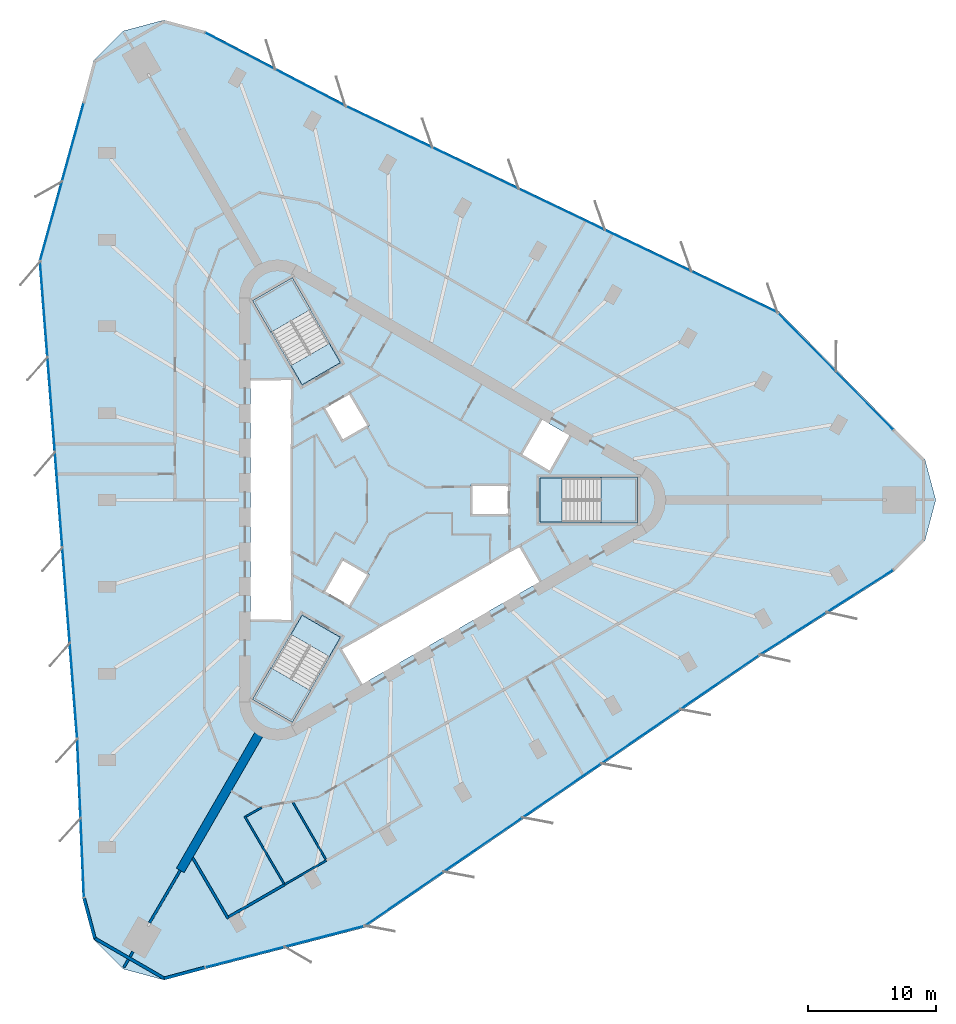
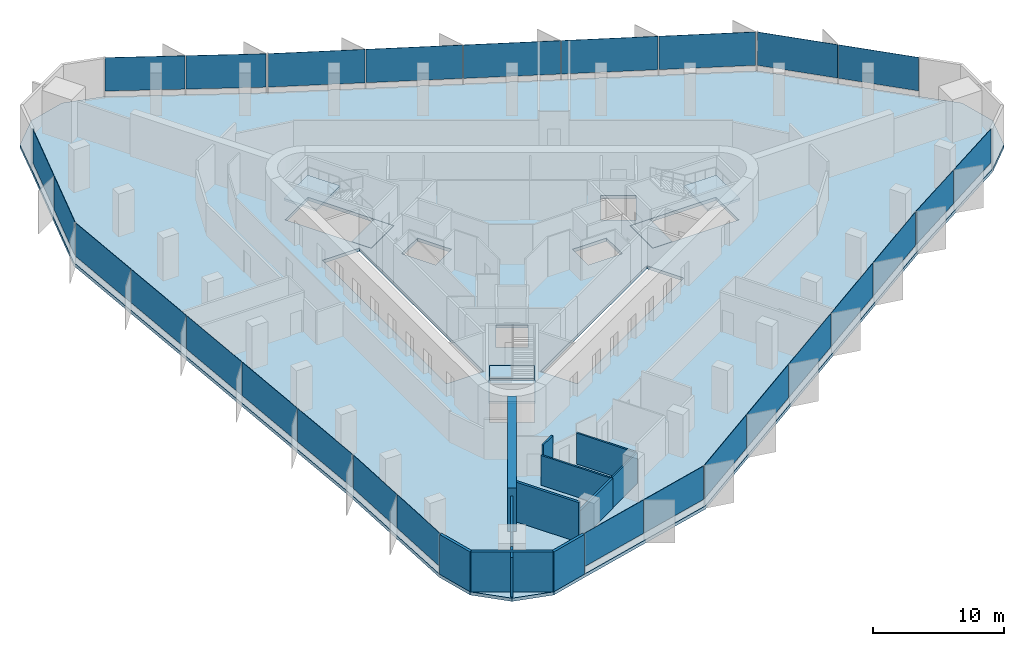
# One storey, part 7 of 13: 27 plates, 13 walls, 7 slabs, 12 elements without a shape of their own.
"""IFC4 building model written with IfcOpenShell, lengths in metres."""

from ifc_helpers import new_model, si_unit, direction, frame, frame_2d, origin, origin_2d, place, context, subcontext, project, spatial, polyline, rectangle, outline, extrude, material, layer, layer_set, type_object, element, aggregate, save


model = new_model("IFC4")

# Units and contexts
model_context = context("Model", 3, precision=1e-05, world=origin(), true_north=direction((0.0, 1.0)))
body_context = subcontext(model_context, "Body", "Model", "MODEL_VIEW")
ifc_project = project(units=[si_unit("LENGTHUNIT", "METRE"), si_unit("AREAUNIT", "SQUARE_METRE"), si_unit("VOLUMEUNIT", "CUBIC_METRE"), si_unit("PLANEANGLEUNIT", "RADIAN"), si_unit("MASSUNIT", "GRAM", prefix="KILO")], contexts=[model_context])

# Site, building, storey
site_placement = place(None, origin())
site = spatial("IfcSite", under=ifc_project, at=site_placement, CompositionType="ELEMENT")
building_placement = place(site_placement, origin())
building = spatial("IfcBuilding", under=site, at=building_placement, Name="Tanit Gate Tower", CompositionType="ELEMENT")
storey_placement = place(building_placement, frame((0.0, 0.0, 181.199951171875)))
storey = spatial("IfcBuildingStorey", under=building, at=storey_placement, Name="L39", CompositionType="ELEMENT", Elevation=181.199951171875)

# Slab
ifc_material_1 = material(Name="Concrete C35/45", Category="concrete")
ifc_layer_1 = layer(ifc_material_1, 0.300048828125)
ifc_layer_set_1 = layer_set([ifc_layer_1], Name="FLOOR SLAB 300 C35/45")
slab_type_1 = type_object("IfcSlabType", Name="FLOOR SLAB 300 C35/45", PredefinedType="FLOOR", material=ifc_layer_set_1)
slab_1_placement = place(storey_placement, frame((0.0, 0.0, -0.300048828125)))
element("IfcSlab", 1, at=slab_1_placement, inside=storey, type_object=slab_type_1, Name="FLOOR SLAB L39", PredefinedType="FLOOR", context=body_context, shape_type="SweptSolid", body=[
    extrude(outline(polyline([(39.06396484375, 5.522705078125), (41.39794921875, 3.1884765625), (42.25244140625, 0.0), (41.39794921875, -3.1884765625), (39.06396484375, -5.522705078125), (28.564453125, -12.192138671875), (-2.2705078125, -33.35009765625), (-14.749267578125, -36.591552734375), (-17.937744140625, -37.446044921875), (-21.126220703125, -36.591552734375), (-23.460205078125, -34.257568359375), (-24.314697265625, -31.069091796875), (-24.8408203125, -18.641357421875), (-27.74658203125, 18.641357421875), (-24.314697265625, 31.069091796875), (-23.460205078125, 34.257568359375), (-21.126220703125, 36.591552734375), (-17.937744140625, 37.446044921875), (-14.749267578125, 36.591552734375), (-3.723388671875, 30.83349609375), (30.01708984375, 14.70849609375), (39.06396484375, 5.522705078125)]), holes=[polyline([(11.3701171875, 1.72998046875), (18.929931640625, 1.72998046875), (18.929931640625, -1.72998046875), (11.3701171875, -1.72998046875), (11.3701171875, 1.72998046875)]), polyline([(9.82080078125, 3.510009765625), (11.44580078125, 6.324462890625), (13.783935546875, 4.974609375), (12.158935546875, 2.159912109375), (9.82080078125, 3.510009765625)]), polyline([(-4.208984375, -11.60986328125), (9.82080078125, -3.510009765625), (11.44580078125, -6.324462890625), (-2.583984375, -14.424560546875), (-4.208984375, -11.60986328125)]), polyline([(6.0, 1.199951171875), (9.0, 1.199951171875), (9.0, -1.199951171875), (6.0, -1.199951171875), (6.0, 1.199951171875)]), polyline([(-5.539306640625, 7.194091796875), (-3.460693359375, 8.394287109375), (-1.960693359375, 5.796142578125), (-4.039306640625, 4.59619140625), (-5.539306640625, 7.194091796875)]), polyline([(-1.960693359375, -5.796142578125), (-3.460693359375, -8.394287109375), (-5.539306640625, -7.194091796875), (-4.039306640625, -4.59619140625), (-1.960693359375, -5.796142578125)]), polyline([(-10.963134765625, 15.52880859375), (-7.966796875, 17.2587890625), (-4.186767578125, 10.711669921875), (-7.18310546875, 8.981689453125), (-10.963134765625, 15.52880859375)]), polyline([(-4.186767578125, -10.711669921875), (-7.966796875, -17.2587890625), (-10.963134765625, -15.52880859375), (-7.18310546875, -8.981689453125), (-4.186767578125, -10.711669921875)]), polyline([(-11.199951171875, -9.449951171875), (-11.199951171875, 9.449951171875), (-7.949951171875, 9.449951171875), (-7.949951171875, -9.449951171875), (-11.199951171875, -9.449951171875)])]), origin(), (0.0, 0.0, 1.0), 0.300048828125),
])

# Curtain wall, plates
ifc_material_2 = material(Name="Aluminium bronze anodised and glass", Category="aluminium")
curtain_wall_type = type_object("IfcCurtainWallType", Name="Curtain wall typical mid", PredefinedType="NOTDEFINED", material=ifc_material_2)
curtain_wall_1_placement = place(storey_placement, origin())
curtain_wall_1 = element("IfcCurtainWall", 2, at=curtain_wall_1_placement, inside=storey, type_object=curtain_wall_type, Name="Curtain wall L39 NE1", PredefinedType="NOTDEFINED")
ifc_material_3 = material(Name="Glass tinted", Category="glass")
ifc_layer_2 = layer(ifc_material_3, 0.030029296875)
ifc_layer_set_2 = layer_set([ifc_layer_2], Name="Glass panel 30 typical mid")
plate_type = type_object("IfcPlateType", Name="Glass panel 30 typical mid", PredefinedType="CURTAIN_PANEL", material=ifc_layer_set_2)
plate_1_placement = place(storey_placement, frame((36.70654296875, 7.7451171875, 0.60009765625), z_axis=(0.0, 0.0, 1.0), x_axis=(-0.701683751549, 0.712488535215, 0.0)))
plate_1 = element("IfcPlate", 3, at=plate_1_placement, type_object=plate_type, Name="Glass panel L39 NE1.1", PredefinedType="CURTAIN_PANEL", context=body_context, shape_type="SweptSolid", body=[
    extrude(rectangle(XDim=6.316162109375, YDim=0.030029296875, at=origin_2d()), origin(), (0.0, 0.0, 1.0), 3.10009765625),
])
plate_2_placement = place(storey_placement, frame((32.218505859375, 12.30224609375, 0.60009765625), z_axis=(0.0, 0.0, 1.0), x_axis=(-0.701683751549, 0.712488535215, 0.0)))
plate_2 = element("IfcPlate", 4, at=plate_2_placement, type_object=plate_type, Name="Glass panel L39 NE1.2", PredefinedType="CURTAIN_PANEL", context=body_context, shape_type="SweptSolid", body=[
    extrude(rectangle(XDim=6.316162109375, YDim=0.030029296875, at=origin_2d()), origin(), (0.0, 0.0, 1.0), 3.10009765625),
])
aggregate(curtain_wall_1, [plate_1, plate_2])

curtain_wall_2_placement = place(storey_placement, origin())
curtain_wall_2 = element("IfcCurtainWall", 5, at=curtain_wall_2_placement, inside=storey, type_object=curtain_wall_type, Name="Curtain wall L39 NE2", PredefinedType="NOTDEFINED")
plate_3_placement = place(storey_placement, frame((26.545166015625, 16.23486328125, 0.60009765625), z_axis=(0.0, 0.0, 1.0), x_axis=(-0.902257718288, 0.431197182029, 0.0)))
plate_3 = element("IfcPlate", 6, at=plate_3_placement, type_object=plate_type, Name="Glass panel L39 NE2.1", PredefinedType="CURTAIN_PANEL", context=body_context, shape_type="SweptSolid", body=[
    extrude(rectangle(XDim=7.37939453125, YDim=0.030029296875, at=origin_2d()), origin(), (0.0, 0.0, 1.0), 3.10009765625),
])
plate_4_placement = place(storey_placement, frame((19.81494140625, 19.451416015625, 0.60009765625), z_axis=(0.0, 0.0, 1.0), x_axis=(-0.902257718288, 0.431197182029, 0.0)))
plate_4 = element("IfcPlate", 7, at=plate_4_placement, type_object=plate_type, Name="Glass panel L39 NE2.2", PredefinedType="CURTAIN_PANEL", context=body_context, shape_type="SweptSolid", body=[
    extrude(rectangle(XDim=7.37939453125, YDim=0.030029296875, at=origin_2d()), origin(), (0.0, 0.0, 1.0), 3.10009765625),
])
plate_5_placement = place(storey_placement, frame((13.084716796875, 22.667724609375, 0.60009765625), z_axis=(0.0, 0.0, 1.0), x_axis=(-0.902257718288, 0.431197182029, 0.0)))
plate_5 = element("IfcPlate", 8, at=plate_5_placement, type_object=plate_type, Name="Glass panel L39 NE2.3", PredefinedType="CURTAIN_PANEL", context=body_context, shape_type="SweptSolid", body=[
    extrude(rectangle(XDim=7.37939453125, YDim=0.030029296875, at=origin_2d()), origin(), (0.0, 0.0, 1.0), 3.10009765625),
])
plate_6_placement = place(storey_placement, frame((6.354248046875, 25.88427734375, 0.60009765625), z_axis=(0.0, 0.0, 1.0), x_axis=(-0.902257718288, 0.431197182029, 0.0)))
plate_6 = element("IfcPlate", 9, at=plate_6_placement, type_object=plate_type, Name="Glass panel L39 NE2.4", PredefinedType="CURTAIN_PANEL", context=body_context, shape_type="SweptSolid", body=[
    extrude(rectangle(XDim=7.37939453125, YDim=0.030029296875, at=origin_2d()), origin(), (0.0, 0.0, 1.0), 3.10009765625),
])
plate_7_placement = place(storey_placement, frame((-0.3759765625, 29.100830078125, 0.60009765625), z_axis=(0.0, 0.0, 1.0), x_axis=(-0.902257718288, 0.431197182029, 0.0)))
plate_7 = element("IfcPlate", 10, at=plate_7_placement, type_object=plate_type, Name="Glass panel L39 NE2.5", PredefinedType="CURTAIN_PANEL", context=body_context, shape_type="SweptSolid", body=[
    extrude(rectangle(XDim=7.37939453125, YDim=0.030029296875, at=origin_2d()), origin(), (0.0, 0.0, 1.0), 3.10009765625),
])
aggregate(curtain_wall_2, [plate_3, plate_4, plate_5, plate_6, plate_7])

curtain_wall_3_placement = place(storey_placement, origin())
curtain_wall_3 = element("IfcCurtainWall", 11, at=curtain_wall_3_placement, inside=storey, type_object=curtain_wall_type, Name="Curtain wall L39 NE3", PredefinedType="NOTDEFINED")
plate_8_placement = place(storey_placement, frame((-6.548828125, 32.173828125, 0.60009765625), z_axis=(0.0, 0.0, 1.0), x_axis=(-0.886403364276, 0.462913680722, 0.0)))
plate_8 = element("IfcPlate", 12, at=plate_8_placement, type_object=plate_type, Name="Glass panel L39 NE3.1", PredefinedType="CURTAIN_PANEL", context=body_context, shape_type="SweptSolid", body=[
    extrude(rectangle(XDim=6.09375, YDim=0.030029296875, at=origin_2d()), origin(), (0.0, 0.0, 1.0), 3.10009765625),
])
plate_9_placement = place(storey_placement, frame((-12.021240234375, 35.03173828125, 0.60009765625), z_axis=(0.0, 0.0, 1.0), x_axis=(-0.886403364276, 0.462913680722, 0.0)))
plate_9 = element("IfcPlate", 13, at=plate_9_placement, type_object=plate_type, Name="Glass panel L39 NE3.2", PredefinedType="CURTAIN_PANEL", context=body_context, shape_type="SweptSolid", body=[
    extrude(rectangle(XDim=6.09375, YDim=0.030029296875, at=origin_2d()), origin(), (0.0, 0.0, 1.0), 3.10009765625),
])
aggregate(curtain_wall_3, [plate_8, plate_9])

curtain_wall_4_placement = place(storey_placement, origin())
curtain_wall_4 = element("IfcCurtainWall", 14, at=curtain_wall_4_placement, inside=storey, type_object=curtain_wall_type, Name="Curtain wall L39 W1", PredefinedType="NOTDEFINED")
plate_10_placement = place(storey_placement, frame((-25.060791015625, 27.916259765625, 0.60009765625), z_axis=(0.0, 0.0, 1.0), x_axis=(-0.266191295627, -0.963920221871, 0.0)))
plate_10 = element("IfcPlate", 15, at=plate_10_placement, type_object=plate_type, Name="Glass panel L39 W1.1", PredefinedType="CURTAIN_PANEL", context=body_context, shape_type="SweptSolid", body=[
    extrude(rectangle(XDim=6.316162109375, YDim=0.030029296875, at=origin_2d()), origin(), (0.0, 0.0, 1.0), 3.10009765625),
])
plate_11_placement = place(storey_placement, frame((-26.763427734375, 21.7509765625, 0.60009765625), z_axis=(0.0, 0.0, 1.0), x_axis=(-0.266191295627, -0.963920221871, 0.0)))
plate_11 = element("IfcPlate", 16, at=plate_11_placement, type_object=plate_type, Name="Glass panel L39 W1.2", PredefinedType="CURTAIN_PANEL", context=body_context, shape_type="SweptSolid", body=[
    extrude(rectangle(XDim=6.316162109375, YDim=0.030029296875, at=origin_2d()), origin(), (0.0, 0.0, 1.0), 3.10009765625),
])
aggregate(curtain_wall_4, [plate_10, plate_11])

curtain_wall_5_placement = place(storey_placement, origin())
curtain_wall_5 = element("IfcCurtainWall", 17, at=curtain_wall_5_placement, inside=storey, type_object=curtain_wall_type, Name="Curtain wall L39 W2", PredefinedType="NOTDEFINED")
plate_12_placement = place(storey_placement, frame((-27.33251953125, 14.871337890625, 0.60009765625), z_axis=(0.0, 0.0, 1.0), x_axis=(0.077701145467, -0.996976695812, 0.0)))
plate_12 = element("IfcPlate", 18, at=plate_12_placement, type_object=plate_type, Name="Glass panel L39 W2.1", PredefinedType="CURTAIN_PANEL", context=body_context, shape_type="SweptSolid", body=[
    extrude(rectangle(XDim=7.37939453125, YDim=0.030029296875, at=origin_2d()), origin(), (0.0, 0.0, 1.0), 3.10009765625),
])
plate_13_placement = place(storey_placement, frame((-26.7529296875, 7.4345703125, 0.60009765625), z_axis=(0.0, 0.0, 1.0), x_axis=(0.077701145467, -0.996976695812, 0.0)))
plate_13 = element("IfcPlate", 19, at=plate_13_placement, type_object=plate_type, Name="Glass panel L39 W2.2", PredefinedType="CURTAIN_PANEL", context=body_context, shape_type="SweptSolid", body=[
    extrude(rectangle(XDim=7.37939453125, YDim=0.030029296875, at=origin_2d()), origin(), (0.0, 0.0, 1.0), 3.10009765625),
])
plate_14_placement = place(storey_placement, frame((-26.17333984375, -0.002197265625, 0.60009765625), z_axis=(0.0, 0.0, 1.0), x_axis=(0.077701145467, -0.996976695812, 0.0)))
plate_14 = element("IfcPlate", 20, at=plate_14_placement, type_object=plate_type, Name="Glass panel L39 W2.3", PredefinedType="CURTAIN_PANEL", context=body_context, shape_type="SweptSolid", body=[
    extrude(rectangle(XDim=7.37939453125, YDim=0.030029296875, at=origin_2d()), origin(), (0.0, 0.0, 1.0), 3.10009765625),
])
plate_15_placement = place(storey_placement, frame((-25.59375, -7.439208984375, 0.60009765625), z_axis=(0.0, 0.0, 1.0), x_axis=(0.077701145467, -0.996976695812, 0.0)))
plate_15 = element("IfcPlate", 21, at=plate_15_placement, type_object=plate_type, Name="Glass panel L39 W2.4", PredefinedType="CURTAIN_PANEL", context=body_context, shape_type="SweptSolid", body=[
    extrude(rectangle(XDim=7.37939453125, YDim=0.030029296875, at=origin_2d()), origin(), (0.0, 0.0, 1.0), 3.10009765625),
])
plate_16_placement = place(storey_placement, frame((-25.01416015625, -14.8759765625, 0.60009765625), z_axis=(0.0, 0.0, 1.0), x_axis=(0.077701145467, -0.996976695812, 0.0)))
plate_16 = element("IfcPlate", 22, at=plate_16_placement, type_object=plate_type, Name="Glass panel L39 W2.5", PredefinedType="CURTAIN_PANEL", context=body_context, shape_type="SweptSolid", body=[
    extrude(rectangle(XDim=7.37939453125, YDim=0.030029296875, at=origin_2d()), origin(), (0.0, 0.0, 1.0), 3.10009765625),
])
aggregate(curtain_wall_5, [plate_12, plate_13, plate_14, plate_15, plate_16])

curtain_wall_6_placement = place(storey_placement, origin())
curtain_wall_6 = element("IfcCurtainWall", 23, at=curtain_wall_6_placement, inside=storey, type_object=curtain_wall_type, Name="Curtain wall L39 W3", PredefinedType="NOTDEFINED")
plate_17_placement = place(storey_placement, frame((-24.5888671875, -21.75830078125, 0.60009765625), z_axis=(0.0, 0.0, 1.0), x_axis=(0.042306674873, -0.999104671824, 0.0)))
plate_17 = element("IfcPlate", 24, at=plate_17_placement, type_object=plate_type, Name="Glass panel L39 W3.1", PredefinedType="CURTAIN_PANEL", context=body_context, shape_type="SweptSolid", body=[
    extrude(rectangle(XDim=6.09375, YDim=0.030029296875, at=origin_2d()), origin(), (0.0, 0.0, 1.0), 3.10009765625),
])
plate_18_placement = place(storey_placement, frame((-24.32763671875, -27.926513671875, 0.60009765625), z_axis=(0.0, 0.0, 1.0), x_axis=(0.042306674873, -0.999104671824, 0.0)))
plate_18 = element("IfcPlate", 25, at=plate_18_placement, type_object=plate_type, Name="Glass panel L39 W3.2", PredefinedType="CURTAIN_PANEL", context=body_context, shape_type="SweptSolid", body=[
    extrude(rectangle(XDim=6.09375, YDim=0.030029296875, at=origin_2d()), origin(), (0.0, 0.0, 1.0), 3.10009765625),
])
aggregate(curtain_wall_6, [plate_17, plate_18])

curtain_wall_7_placement = place(storey_placement, origin())
curtain_wall_7 = element("IfcCurtainWall", 26, at=curtain_wall_7_placement, inside=storey, type_object=curtain_wall_type, Name="Curtain wall L39 SE1", PredefinedType="NOTDEFINED")
plate_19_placement = place(storey_placement, frame((-11.645751953125, -35.661376953125, 0.60009765625), z_axis=(0.0, 0.0, 1.0), x_axis=(0.967875047175, 0.251431686657, 0.0)))
plate_19 = element("IfcPlate", 27, at=plate_19_placement, type_object=plate_type, Name="Glass panel L39 SE1.1", PredefinedType="CURTAIN_PANEL", context=body_context, shape_type="SweptSolid", body=[
    extrude(rectangle(XDim=6.316162109375, YDim=0.030029296875, at=origin_2d()), origin(), (0.0, 0.0, 1.0), 3.10009765625),
])
plate_20_placement = place(storey_placement, frame((-5.455078125, -34.05322265625, 0.60009765625), z_axis=(0.0, 0.0, 1.0), x_axis=(0.967875047175, 0.251431686657, 0.0)))
plate_20 = element("IfcPlate", 28, at=plate_20_placement, type_object=plate_type, Name="Glass panel L39 SE1.2", PredefinedType="CURTAIN_PANEL", context=body_context, shape_type="SweptSolid", body=[
    extrude(rectangle(XDim=6.316162109375, YDim=0.030029296875, at=origin_2d()), origin(), (0.0, 0.0, 1.0), 3.10009765625),
])
aggregate(curtain_wall_7, [plate_19, plate_20])

curtain_wall_8_placement = place(storey_placement, origin())
curtain_wall_8 = element("IfcCurtainWall", 29, at=curtain_wall_8_placement, inside=storey, type_object=curtain_wall_type, Name="Curtain wall L39 SE2", PredefinedType="NOTDEFINED")
plate_21_placement = place(storey_placement, frame((0.787109375, -31.106201171875, 0.60009765625), z_axis=(0.0, 0.0, 1.0), x_axis=(0.824556572821, 0.565779513784, 0.0)))
plate_21 = element("IfcPlate", 30, at=plate_21_placement, type_object=plate_type, Name="Glass panel L39 SE2.1", PredefinedType="CURTAIN_PANEL", context=body_context, shape_type="SweptSolid", body=[
    extrude(rectangle(XDim=7.37939453125, YDim=0.030029296875, at=origin_2d()), origin(), (0.0, 0.0, 1.0), 3.10009765625),
])
plate_22_placement = place(storey_placement, frame((6.93798828125, -26.885986328125, 0.60009765625), z_axis=(0.0, 0.0, 1.0), x_axis=(0.824556572821, 0.565779513784, 0.0)))
plate_22 = element("IfcPlate", 31, at=plate_22_placement, type_object=plate_type, Name="Glass panel L39 SE2.2", PredefinedType="CURTAIN_PANEL", context=body_context, shape_type="SweptSolid", body=[
    extrude(rectangle(XDim=7.37939453125, YDim=0.030029296875, at=origin_2d()), origin(), (0.0, 0.0, 1.0), 3.10009765625),
])
plate_23_placement = place(storey_placement, frame((13.088623046875, -22.66552734375, 0.60009765625), z_axis=(0.0, 0.0, 1.0), x_axis=(0.824556572821, 0.565779513784, 0.0)))
plate_23 = element("IfcPlate", 32, at=plate_23_placement, type_object=plate_type, Name="Glass panel L39 SE2.3", PredefinedType="CURTAIN_PANEL", context=body_context, shape_type="SweptSolid", body=[
    extrude(rectangle(XDim=7.37939453125, YDim=0.030029296875, at=origin_2d()), origin(), (0.0, 0.0, 1.0), 3.10009765625),
])
plate_24_placement = place(storey_placement, frame((19.2392578125, -18.4453125, 0.60009765625), z_axis=(0.0, 0.0, 1.0), x_axis=(0.824556572821, 0.565779513784, 0.0)))
plate_24 = element("IfcPlate", 33, at=plate_24_placement, type_object=plate_type, Name="Glass panel L39 SE2.4", PredefinedType="CURTAIN_PANEL", context=body_context, shape_type="SweptSolid", body=[
    extrude(rectangle(XDim=7.37939453125, YDim=0.030029296875, at=origin_2d()), origin(), (0.0, 0.0, 1.0), 3.10009765625),
])
plate_25_placement = place(storey_placement, frame((25.389892578125, -14.224853515625, 0.60009765625), z_axis=(0.0, 0.0, 1.0), x_axis=(0.824556572821, 0.565779513784, 0.0)))
plate_25 = element("IfcPlate", 34, at=plate_25_placement, type_object=plate_type, Name="Glass panel L39 SE2.5", PredefinedType="CURTAIN_PANEL", context=body_context, shape_type="SweptSolid", body=[
    extrude(rectangle(XDim=7.37939453125, YDim=0.030029296875, at=origin_2d()), origin(), (0.0, 0.0, 1.0), 3.10009765625),
])
aggregate(curtain_wall_8, [plate_21, plate_22, plate_23, plate_24, plate_25])

curtain_wall_9_placement = place(storey_placement, origin())
curtain_wall_9 = element("IfcCurtainWall", 35, at=curtain_wall_9_placement, inside=storey, type_object=curtain_wall_type, Name="Curtain wall L39 SE3", PredefinedType="NOTDEFINED")
plate_26_placement = place(storey_placement, frame((31.1376953125, -10.41552734375, 0.60009765625), z_axis=(0.0, 0.0, 1.0), x_axis=(0.844096689403, 0.536190991102, 0.0)))
plate_26 = element("IfcPlate", 36, at=plate_26_placement, type_object=plate_type, Name="Glass panel L39 SE3.1", PredefinedType="CURTAIN_PANEL", context=body_context, shape_type="SweptSolid", body=[
    extrude(rectangle(XDim=6.09375, YDim=0.030029296875, at=origin_2d()), origin(), (0.0, 0.0, 1.0), 3.10009765625),
])
plate_27_placement = place(storey_placement, frame((36.348876953125, -7.10498046875, 0.60009765625), z_axis=(0.0, 0.0, 1.0), x_axis=(0.844096689403, 0.536190991102, 0.0)))
plate_27 = element("IfcPlate", 37, at=plate_27_placement, type_object=plate_type, Name="Glass panel L39 SE3.2", PredefinedType="CURTAIN_PANEL", context=body_context, shape_type="SweptSolid", body=[
    extrude(rectangle(XDim=6.09375, YDim=0.030029296875, at=origin_2d()), origin(), (0.0, 0.0, 1.0), 3.10009765625),
])
aggregate(curtain_wall_9, [plate_26, plate_27])

# Stair, slab
ifc_material_4 = material(Name="Concrete C40/50", Category="concrete")
stair_type = type_object("IfcStairType", Name="INT-STAIR-EXIT", PredefinedType="HALF_TURN_STAIR", material=ifc_material_4)
stair_1_placement = place(storey_placement, origin())
stair_1 = element("IfcStair", 38, at=stair_1_placement, inside=storey, type_object=stair_type, Name="L39 STAIR S1", PredefinedType="HALF_TURN_STAIR")
ifc_material_5 = material(Name="Concrete C40/50", Category="concrete")
ifc_layer_3 = layer(ifc_material_5, 0.199951171875)
ifc_layer_set_3 = layer_set([ifc_layer_3], Name="INT-STAIR-LANDING")
slab_type_2 = type_object("IfcSlabType", Name="INT-STAIR-LANDING", PredefinedType="LANDING", material=ifc_layer_set_3)
slab_2_placement = place(storey_placement, frame((0.0, 0.0, 1.800048828125)))
slab_2 = element("IfcSlab", 39, at=slab_2_placement, type_object=slab_type_2, Name="S1 landing 1", PredefinedType="LANDING", context=body_context, shape_type="SweptSolid", body=[
    extrude(outline(polyline([(16.135986328125, -1.800048828125), (19.0, -1.800048828125), (19.0, 1.800048828125), (16.135986328125, 1.800048828125), (16.135986328125, -1.800048828125)])), origin(), (0.0, 0.0, 1.0), 0.199951171875),
])
aggregate(stair_1, [slab_2])

# Slab
slab_3_placement = place(storey_placement, frame((0.0, 0.0, -0.199951171875)))
element("IfcSlab", 40, at=slab_3_placement, inside=storey, type_object=slab_type_2, Name="S1 floor landing", PredefinedType="LANDING", context=body_context, shape_type="SweptSolid", body=[
    extrude(outline(polyline([(11.3798828125, -1.719970703125), (13.10498046875, -1.719970703125), (13.10498046875, 1.719970703125), (11.3798828125, 1.719970703125), (11.3798828125, -1.719970703125)])), origin(), (0.0, 0.0, 1.0), 0.199951171875),
])

# Stair, slab
stair_2_placement = place(storey_placement, origin())
stair_2 = element("IfcStair", 41, at=stair_2_placement, inside=storey, type_object=stair_type, Name="L39 STAIR S2", PredefinedType="HALF_TURN_STAIR")
slab_4_placement = place(storey_placement, frame((0.0, 0.0, 1.800048828125)))
slab_4 = element("IfcSlab", 42, at=slab_4_placement, type_object=slab_type_2, Name="S2 landing 1", PredefinedType="LANDING", context=body_context, shape_type="SweptSolid", body=[
    extrude(outline(polyline([(-6.5078125, 14.871826171875), (-7.941162109375, 17.3544921875), (-11.058837890625, 15.554443359375), (-9.62548828125, 13.07177734375), (-6.5078125, 14.871826171875)])), origin(), (0.0, 0.0, 1.0), 0.199951171875),
])
aggregate(stair_2, [slab_4])

# Slab
slab_5_placement = place(storey_placement, frame((0.0, 0.0, -0.199951171875)))
element("IfcSlab", 43, at=slab_5_placement, inside=storey, type_object=slab_type_2, Name="S2 floor landing", PredefinedType="LANDING", context=body_context, shape_type="SweptSolid", body=[
    extrude(outline(polyline([(-4.200439453125, 10.71533203125), (-5.0625, 12.20849609375), (-8.04150390625, 10.48828125), (-7.179443359375, 8.995361328125), (-4.200439453125, 10.71533203125)])), origin(), (0.0, 0.0, 1.0), 0.199951171875),
])

# Stair, slab
stair_3_placement = place(storey_placement, origin())
stair_3 = element("IfcStair", 44, at=stair_3_placement, inside=storey, type_object=stair_type, Name="L39 STAIR S3", PredefinedType="HALF_TURN_STAIR")
slab_6_placement = place(storey_placement, frame((0.0, 0.0, 1.800048828125)))
slab_6 = element("IfcSlab", 45, at=slab_6_placement, type_object=slab_type_2, Name="S3 landing 1", PredefinedType="LANDING", context=body_context, shape_type="SweptSolid", body=[
    extrude(outline(polyline([(-9.626953125, -13.07421875), (-11.058837890625, -15.554443359375), (-7.941162109375, -17.3544921875), (-6.509033203125, -14.874267578125), (-9.626953125, -13.07421875)])), origin(), (0.0, 0.0, 1.0), 0.199951171875),
])
aggregate(stair_3, [slab_6])

# Slab
slab_7_placement = place(storey_placement, frame((0.0, 0.0, -0.199951171875)))
element("IfcSlab", 46, at=slab_7_placement, inside=storey, type_object=slab_type_2, Name="S3 floor landing", PredefinedType="LANDING", context=body_context, shape_type="SweptSolid", body=[
    extrude(outline(polyline([(-7.179443359375, -8.995361328125), (-8.0419921875, -10.4892578125), (-5.06298828125, -12.209228515625), (-4.200439453125, -10.71533203125), (-7.179443359375, -8.995361328125)])), origin(), (0.0, 0.0, 1.0), 0.199951171875),
])

# Walls
ifc_material_6 = material(Name="Concrete C50/60", Category="concrete")
ifc_layer_4 = layer(ifc_material_6, 0.699951171875)
ifc_layer_set_4 = layer_set([ifc_layer_4], Name="BUTTRESS FIN 700 C50/60")
wall_type_1 = type_object("IfcWallType", Name="BUTTRESS FIN 700 C50/60", PredefinedType="SHEAR", material=ifc_layer_set_4)
wall_1_placement = place(storey_placement, frame((-10.574951171875, -18.31640625, 0.0), z_axis=(0.0, 0.0, 1.0), x_axis=(-0.500002625756, -0.866023887798, 0.0)))
element("IfcWall", 47, at=wall_1_placement, inside=storey, type_object=wall_type_1, Name="BUTTRESS FIN", PredefinedType="SHEAR", context=body_context, shape_type="SweptSolid", body=[
    extrude(rectangle(XDim=12.2197265625, YDim=0.699951171875, at=frame_2d((6.10986328125, 0.0))), origin(), (0.0, 0.0, 1.0), 4.0),
])
ifc_material_7 = material(Name="Concrete C30/37 with bronze anodised aluminium cladding", Category="concrete")
ifc_layer_5 = layer(ifc_material_7, 0.239990234375)
ifc_layer_set_5 = layer_set([ifc_layer_5], Name="Facade wall bronze clad 240")
wall_type_2 = type_object("IfcWallType", Name="Facade wall bronze clad 240", PredefinedType="SOLIDWALL", material=ifc_layer_set_5)
wall_2_placement = place(storey_placement, frame((-24.1953125, -31.05078125, 0.0), z_axis=(0.0, 0.0, 1.0), x_axis=(0.258806058597, -0.965929305919, 0.0)))
element("IfcWall", 48, at=wall_2_placement, inside=storey, type_object=wall_type_2, Name="Bronze-clad facade wall L39 SW.arc1", PredefinedType="SOLIDWALL", context=body_context, shape_type="SweptSolid", body=[
    extrude(rectangle(XDim=3.25537109375, YDim=0.239990234375, at=frame_2d((1.627685546875, 0.0))), origin(), (0.0, 0.0, 1.0), 3.699951171875),
])
wall_3_placement = place(storey_placement, frame((-23.352783203125, -34.1953125, 0.0), z_axis=(0.0, 0.0, 1.0), x_axis=(0.866019130722, -0.500010865105, 0.0)))
element("IfcWall", 49, at=wall_3_placement, inside=storey, type_object=wall_type_2, Name="Bronze-clad facade wall L39 SW.arc2", PredefinedType="SOLIDWALL", context=body_context, shape_type="SweptSolid", body=[
    extrude(rectangle(XDim=6.252685546875, YDim=0.239990234375, at=frame_2d((3.12646484375, 0.0))), origin(), (0.0, 0.0, 1.0), 3.699951171875),
])
wall_4_placement = place(storey_placement, frame((-17.937744140625, -37.32177734375, 0.0), z_axis=(0.0, 0.0, 1.0), x_axis=(0.965924385118, 0.258824423565, 0.0)))
element("IfcWall", 50, at=wall_4_placement, inside=storey, type_object=wall_type_2, Name="Bronze-clad facade wall L39 SW.arc3", PredefinedType="SOLIDWALL", context=body_context, shape_type="SweptSolid", body=[
    extrude(rectangle(XDim=3.269287109375, YDim=0.239990234375, at=frame_2d((1.634765625, 0.0))), origin(), (0.0, 0.0, 1.0), 3.699951171875),
])
ifc_material_8 = material(Name="Fire-rated gypsum board partition")
ifc_layer_6 = layer(ifc_material_8, 0.199951171875)
ifc_layer_set_6 = layer_set([ifc_layer_6], Name="INT-WALL-COMPARTMENT")
wall_type_3 = type_object("IfcWallType", Name="INT-WALL-COMPARTMENT", PredefinedType="PARTITIONING", material=ifc_layer_set_6)
wall_5_placement = place(storey_placement, frame((-21.0859375, -36.462158203125, 0.0), z_axis=(0.0, 0.0, 1.0), x_axis=(0.499801860585, 0.866139769411, 0.0)))
element("IfcWall", 51, at=wall_5_placement, inside=storey, type_object=wall_type_3, Name="Wall Compartment W115", PredefinedType="PARTITIONING", context=body_context, shape_type="SweptSolid", body=[
    extrude(rectangle(XDim=0.709716796875, YDim=0.199951171875, at=frame_2d((0.35498046875, 0.0))), origin(), (0.0, 0.0, 1.0), 3.699951171875),
])
wall_6_placement = place(storey_placement, frame((-20.611083984375, -35.6396484375, 0.0), z_axis=(0.0, 0.0, 1.0), x_axis=(0.499842898591, 0.866116087328, 0.0)))
element("IfcWall", 52, at=wall_6_placement, inside=storey, type_object=wall_type_3, Name="Wall Compartment W115x1", PredefinedType="PARTITIONING", context=body_context, shape_type="SweptSolid", body=[
    extrude(rectangle(XDim=0.468017578125, YDim=0.199951171875, at=frame_2d((0.23388671875, 0.0))), origin(), (0.0, 0.0, 1.0), 3.699951171875),
])
wall_7_placement = place(storey_placement, frame((-19.0771484375, -32.982666015625, 0.0), z_axis=(0.0, 0.0, 1.0), x_axis=(0.504095526605, 0.863647902827, 0.0)))
element("IfcWall", 53, at=wall_7_placement, inside=storey, type_object=wall_type_3, Name="Wall Compartment W116", PredefinedType="PARTITIONING", context=body_context, shape_type="SweptSolid", body=[
    extrude(rectangle(XDim=4.732666015625, YDim=0.199951171875, at=frame_2d((2.3662109375, 0.0))), origin(), (0.0, 0.0, 1.0), 3.27001953125),
])
wall_8_placement = place(storey_placement, frame((-8.543212890625, -30.0009765625, 0.0), z_axis=(0.0, 0.0, 1.0), x_axis=(-0.866017018378, -0.500014523669, 0.0)))
element("IfcWall", 54, at=wall_8_placement, inside=storey, type_object=wall_type_3, Name="Wall Compartment W130", PredefinedType="PARTITIONING", context=body_context, shape_type="SweptSolid", body=[
    extrude(rectangle(XDim=5.040771484375, YDim=0.199951171875, at=frame_2d((2.5205078125, 0.0))), origin(), (0.0, 0.0, 1.0), 2.780029296875),
])
wall_9_placement = place(storey_placement, frame((-15.71435546875, -27.91796875, 0.0), z_axis=(0.0, 0.0, 1.0), x_axis=(0.504506882404, -0.863407670574, 0.0)))
element("IfcWall", 55, at=wall_9_placement, inside=storey, type_object=wall_type_3, Name="Wall Compartment W129", PredefinedType="PARTITIONING", context=body_context, shape_type="SweptSolid", body=[
    extrude(rectangle(XDim=5.489501953125, YDim=0.199951171875, at=frame_2d((2.74462890625, 0.0))), origin(), (0.0, 0.0, 1.0), 3.699951171875),
])
ifc_material_9 = material(Name="Fire-rated gypsum board partition")
ifc_layer_7 = layer(ifc_material_9, 0.14990234375)
ifc_layer_set_7 = layer_set([ifc_layer_7], Name="INT-WALL-RISER")
wall_type_4 = type_object("IfcWallType", Name="INT-WALL-RISER", PredefinedType="PLUMBINGWALL", material=ifc_layer_set_7)
wall_10_placement = place(storey_placement, frame((-5.280029296875, -28.116943359375, 0.0), z_axis=(0.0, 0.0, 1.0), x_axis=(-0.866021579651, -0.500006623535, 0.0)))
element("IfcWall", 56, at=wall_10_placement, inside=storey, type_object=wall_type_4, Name="Wall Riser W128", PredefinedType="PLUMBINGWALL", context=body_context, shape_type="SweptSolid", body=[
    extrude(rectangle(XDim=3.76806640625, YDim=0.14990234375, at=frame_2d((1.884033203125, 0.0))), origin(), (0.0, 0.0, 1.0), 2.880126953125),
])
wall_11_placement = place(storey_placement, frame((-5.33642578125, -28.0341796875, 0.0), z_axis=(0.0, 0.0, 1.0), x_axis=(-0.499988145349, 0.866032247962, 0.0)))
element("IfcWall", 57, at=wall_11_placement, inside=storey, type_object=wall_type_4, Name="Wall Riser W132", PredefinedType="PLUMBINGWALL", context=body_context, shape_type="SweptSolid", body=[
    extrude(rectangle(XDim=5.1435546875, YDim=0.14990234375, at=frame_2d((2.57177734375, 0.0))), origin(), (0.0, 0.0, 1.0), 2.880126953125),
])
wall_12_placement = place(storey_placement, frame((-8.587646484375, -29.93994140625, 0.0), z_axis=(0.0, 0.0, 1.0), x_axis=(-0.504258537923, 0.863552735467, 0.0)))
element("IfcWall", 58, at=wall_12_placement, inside=storey, type_object=wall_type_4, Name="Wall Riser W133", PredefinedType="PLUMBINGWALL", context=body_context, shape_type="SweptSolid", body=[
    extrude(rectangle(XDim=6.110107421875, YDim=0.14990234375, at=frame_2d((3.05517578125, 0.0))), origin(), (0.0, 0.0, 1.0), 2.780029296875),
])
wall_13_placement = place(storey_placement, frame((-10.331298828125, -23.983642578125, 0.0), z_axis=(0.0, 0.0, 1.0), x_axis=(-0.867587682712, -0.49728423744, 0.0)))
element("IfcWall", 59, at=wall_13_placement, inside=storey, type_object=wall_type_4, Name="Wall Riser W134", PredefinedType="PLUMBINGWALL", context=body_context, shape_type="SweptSolid", body=[
    extrude(rectangle(XDim=1.4228515625, YDim=0.14990234375, at=frame_2d((0.71142578125, 0.0))), origin(), (0.0, 0.0, 1.0), 3.699951171875),
])

save(model, "model.ifc")
